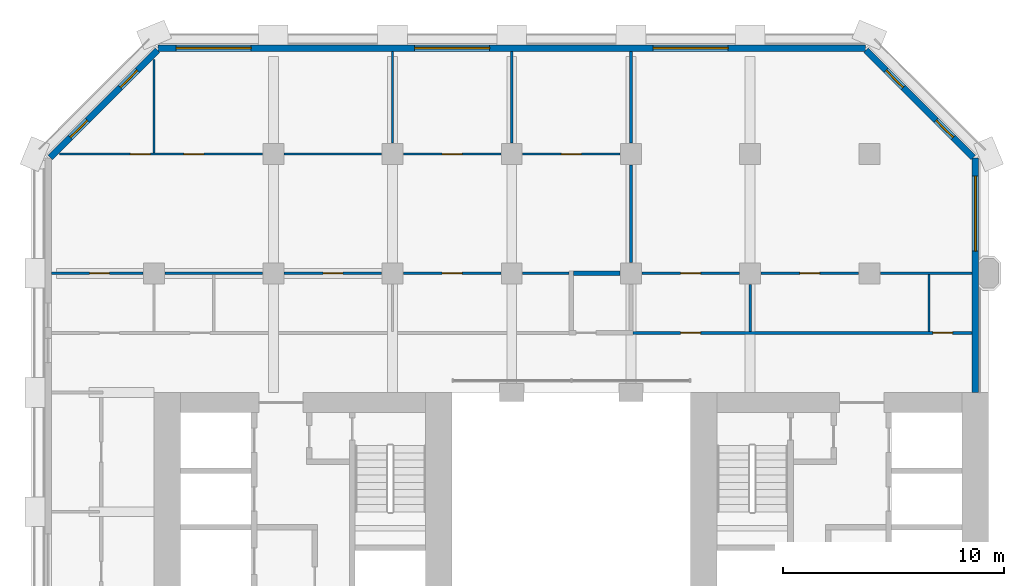
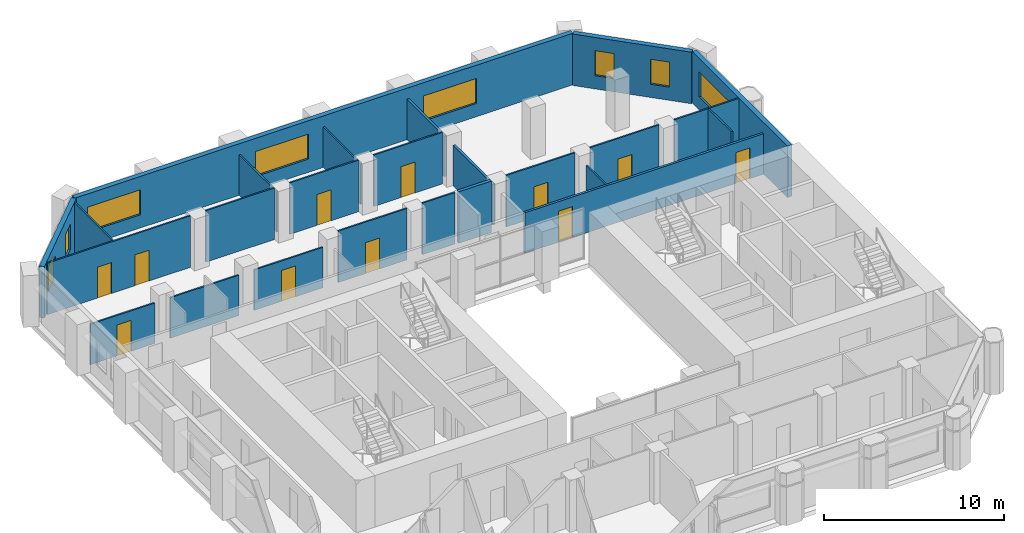
# One storey, part 9 of 13: 25 walls, 11 doors, 8 windows, 19 openings.
"""IFC4 building model written with IfcOpenShell, lengths in metres."""

from ifc_helpers import new_model, si_unit, direction, frame, frame_2d, origin, place, context, subcontext, project, spatial, rectangle, extrude, material, layer, layer_set, type_object, element, fill, save


model = new_model("IFC4")

# Units and contexts
model_context = context("Model", 3, precision=1e-05, world=origin(), true_north=direction((0.0, 1.0)))
body_context = subcontext(model_context, "Body", "Model", "MODEL_VIEW")
ifc_project = project(units=[si_unit("LENGTHUNIT", "METRE"), si_unit("AREAUNIT", "SQUARE_METRE"), si_unit("VOLUMEUNIT", "CUBIC_METRE"), si_unit("PLANEANGLEUNIT", "RADIAN"), si_unit("MASSUNIT", "GRAM", prefix="KILO")], contexts=[model_context])

# Site, building, storey
site_placement = place(None, origin())
site = spatial("IfcSite", under=ifc_project, at=site_placement, CompositionType="ELEMENT")
building_placement = place(site_placement, origin())
building = spatial("IfcBuilding", under=site, at=building_placement, Name="Tabaq Tower and Sports Hall", CompositionType="ELEMENT")
storey_placement = place(building_placement, frame((0.0, 0.0, 106.800048828125)))
storey = spatial("IfcBuildingStorey", under=building, at=storey_placement, Name="L25", CompositionType="ELEMENT", Elevation=106.800048828125)

# Wall
ifc_material_1 = material(Name="Blockwork", Category="masonry")
ifc_layer_1 = layer(ifc_material_1, 0.199951171875)
ifc_layer_set_1 = layer_set([ifc_layer_1], Name="Fire compartment wall 200 Blockwork")
wall_type_1 = type_object("IfcWallType", Name="Fire compartment wall 200 Blockwork", PredefinedType="PARTITIONING", material=ifc_layer_set_1)
wall_1_placement = place(storey_placement, frame((26.5048828125, 37.800048828125, 0.0), z_axis=(0.0, 0.0, 1.0), x_axis=(-1.0, 0.0, 0.0)))
element("IfcWall", 1, at=wall_1_placement, inside=storey, type_object=wall_type_1, Name="Compartment wall L25", PredefinedType="PARTITIONING", context=body_context, shape_type="SweptSolid", body=[
    extrude(rectangle(XDim=2.10498046875, YDim=0.199951171875, at=frame_2d((1.052490234375, 0.0))), origin(), (0.0, 0.0, 1.0), 3.5),
])

# Wall, opening, door
ifc_material_2 = material(Name="Gypsum board on steel studs", Category="steel")
ifc_layer_2 = layer(ifc_material_2, 0.10009765625)
ifc_layer_set_2 = layer_set([ifc_layer_2], Name="Partition 100 Gypsum board")
wall_type_2 = type_object("IfcWallType", Name="Partition 100 Gypsum board", PredefinedType="PARTITIONING", material=ifc_layer_set_2)
wall_2_placement = place(storey_placement, frame((4.905029296875, 37.800048828125, 0.0), z_axis=(0.0, 0.0, 1.0), x_axis=(-1.0, 0.0, 0.0)))
wall_2 = element("IfcWall", 2, at=wall_2_placement, inside=storey, type_object=wall_type_2, Name="Partition wall L25", PredefinedType="PARTITIONING", context=body_context, shape_type="SweptSolid", body=[
    extrude(rectangle(XDim=4.154052734375, YDim=0.10009765625, at=frame_2d((2.0771484375, 0.0))), origin(), (0.0, 0.0, 1.0), 2.75),
])
opening_1_placement = place(wall_2_placement, frame((1.530029296875, 0.0, 0.0)))
opening_1 = element("IfcOpeningElement", 3, at=opening_1_placement, cuts=wall_2, Name="Opening L25-028", PredefinedType="OPENING", context=body_context, shape_type="SweptSolid", body=[
    extrude(rectangle(XDim=0.89990234375, YDim=2.10009765625, at=frame_2d((0.449951171875, 1.050048828125))), frame((0.0, 0.050048828125, 0.0), z_axis=(0.0, -1.0, 0.0), x_axis=(1.0, 0.0, 0.0)), (0.0, 0.0, 1.0), 0.10009765625),
])
ifc_material_3 = material(Name="Timber leaf in steel frame", Category="steel")
door_type_1 = type_object("IfcDoorType", Name="Internal door 900 right hand", OperationType="SINGLE_SWING_RIGHT", PredefinedType="DOOR", material=ifc_material_3)
door_1_placement = place(opening_1_placement, origin())
door_1 = element("IfcDoor", 4, at=door_1_placement, inside=storey, type_object=door_type_1, Name="Internal door L25-028", OperationType="SINGLE_SWING_RIGHT", OverallHeight=2.10009765625, OverallWidth=0.89990234375, PredefinedType="DOOR", context=body_context, shape_type="SweptSolid", body=[
    extrude(rectangle(XDim=0.89990234375, YDim=2.10009765625, at=frame_2d((0.449951171875, 1.050048828125))), frame((0.0, 0.02490234375, 0.0), z_axis=(0.0, -1.0, 0.0), x_axis=(1.0, 0.0, 0.0)), (0.0, 0.0, 1.0), 0.050048828125),
])
fill(opening_1, door_1)

wall_3_placement = place(storey_placement, frame((15.705078125, 37.800048828125, 0.0), z_axis=(0.0, 0.0, 1.0), x_axis=(-1.0, 0.0, 0.0)))
wall_3 = element("IfcWall", 5, at=wall_3_placement, inside=storey, type_object=wall_type_2, Name="Partition wall L25", PredefinedType="PARTITIONING", context=body_context, shape_type="SweptSolid", body=[
    extrude(rectangle(XDim=4.41015625, YDim=0.10009765625, at=frame_2d((2.205078125, 0.0))), origin(), (0.0, 0.0, 1.0), 2.75),
])
opening_2_placement = place(wall_3_placement, frame((1.7548828125, 0.0, 0.0)))
opening_2 = element("IfcOpeningElement", 6, at=opening_2_placement, cuts=wall_3, Name="Opening L25-012", PredefinedType="OPENING", context=body_context, shape_type="SweptSolid", body=[
    extrude(rectangle(XDim=0.89990234375, YDim=2.10009765625, at=frame_2d((0.449951171875, 1.050048828125))), frame((0.0, 0.050048828125, 0.0), z_axis=(0.0, -1.0, 0.0), x_axis=(1.0, 0.0, 0.0)), (0.0, 0.0, 1.0), 0.10009765625),
])
ifc_material_4 = material(Name="Timber leaf in steel frame", Category="steel")
door_type_2 = type_object("IfcDoorType", Name="Internal door 900 left hand", OperationType="SINGLE_SWING_LEFT", PredefinedType="DOOR", material=ifc_material_4)
door_2_placement = place(opening_2_placement, origin())
door_2 = element("IfcDoor", 7, at=door_2_placement, inside=storey, type_object=door_type_2, Name="Internal door L25-012", OperationType="SINGLE_SWING_LEFT", OverallHeight=2.10009765625, OverallWidth=0.89990234375, PredefinedType="DOOR", context=body_context, shape_type="SweptSolid", body=[
    extrude(rectangle(XDim=0.89990234375, YDim=2.10009765625, at=frame_2d((0.449951171875, 1.050048828125))), frame((0.0, 0.02490234375, 0.0), z_axis=(0.0, -1.0, 0.0), x_axis=(1.0, 0.0, 0.0)), (0.0, 0.0, 1.0), 0.050048828125),
])
fill(opening_2, door_2)

# Walls
wall_4_placement = place(storey_placement, frame((10.304931640625, 37.800048828125, 0.0), z_axis=(0.0, 0.0, 1.0), x_axis=(-1.0, 0.0, 0.0)))
element("IfcWall", 8, at=wall_4_placement, inside=storey, type_object=wall_type_2, Name="Partition wall L25", PredefinedType="PARTITIONING", context=body_context, shape_type="SweptSolid", body=[
    extrude(rectangle(XDim=4.409912109375, YDim=0.10009765625, at=frame_2d((2.205078125, 0.0))), origin(), (0.0, 0.0, 1.0), 2.75),
])
wall_5_placement = place(storey_placement, frame((24.199951171875, 37.800048828125, 0.0), z_axis=(0.0, 0.0, 1.0), x_axis=(-1.0, 0.0, 0.0)))
element("IfcWall", 9, at=wall_5_placement, inside=storey, type_object=wall_type_2, Name="Partition wall L25", PredefinedType="PARTITIONING", context=body_context, shape_type="SweptSolid", body=[
    extrude(rectangle(XDim=2.10498046875, YDim=0.10009765625, at=frame_2d((1.052490234375, 0.0))), origin(), (0.0, 0.0, 1.0), 3.5),
])

# Wall, opening, door
wall_6_placement = place(storey_placement, frame((21.10498046875, 37.800048828125, 0.0), z_axis=(0.0, 0.0, 1.0), x_axis=(-1.0, 0.0, 0.0)))
wall_6 = element("IfcWall", 10, at=wall_6_placement, inside=storey, type_object=wall_type_2, Name="Partition wall L25", PredefinedType="PARTITIONING", context=body_context, shape_type="SweptSolid", body=[
    extrude(rectangle(XDim=4.409912109375, YDim=0.10009765625, at=frame_2d((2.205078125, 0.0))), origin(), (0.0, 0.0, 1.0), 3.5),
])
opening_3_placement = place(wall_6_placement, frame((1.7548828125, 0.0, 0.0)))
opening_3 = element("IfcOpeningElement", 11, at=opening_3_placement, cuts=wall_6, Name="Opening L25-013", PredefinedType="OPENING", context=body_context, shape_type="SweptSolid", body=[
    extrude(rectangle(XDim=0.89990234375, YDim=2.10009765625, at=frame_2d((0.449951171875, 1.050048828125))), frame((0.0, 0.050048828125, 0.0), z_axis=(0.0, -1.0, 0.0), x_axis=(1.0, 0.0, 0.0)), (0.0, 0.0, 1.0), 0.10009765625),
])
door_3_placement = place(opening_3_placement, origin())
door_3 = element("IfcDoor", 12, at=door_3_placement, inside=storey, type_object=door_type_1, Name="Internal door L25-013", OperationType="SINGLE_SWING_RIGHT", OverallHeight=2.10009765625, OverallWidth=0.89990234375, PredefinedType="DOOR", context=body_context, shape_type="SweptSolid", body=[
    extrude(rectangle(XDim=0.89990234375, YDim=2.10009765625, at=frame_2d((0.449951171875, 1.050048828125))), frame((0.0, 0.02490234375, 0.0), z_axis=(0.0, -1.0, 0.0), x_axis=(1.0, 0.0, 0.0)), (0.0, 0.0, 1.0), 0.050048828125),
])
fill(opening_3, door_3)

wall_7_placement = place(storey_placement, frame((26.5048828125, 43.199951171875, 0.0), z_axis=(0.0, 0.0, 1.0), x_axis=(-1.0, 0.0, 0.0)))
wall_7 = element("IfcWall", 13, at=wall_7_placement, inside=storey, type_object=wall_type_2, Name="Partition wall L25", PredefinedType="PARTITIONING", context=body_context, shape_type="SweptSolid", body=[
    extrude(rectangle(XDim=4.409912109375, YDim=0.10009765625, at=frame_2d((2.205078125, 0.0))), origin(), (0.0, 0.0, 1.0), 3.5),
])
opening_4_placement = place(wall_7_placement, frame((1.7548828125, 0.0, 0.0)))
opening_4 = element("IfcOpeningElement", 14, at=opening_4_placement, cuts=wall_7, Name="Opening L25-017", PredefinedType="OPENING", context=body_context, shape_type="SweptSolid", body=[
    extrude(rectangle(XDim=0.89990234375, YDim=2.10009765625, at=frame_2d((0.449951171875, 1.050048828125))), frame((0.0, 0.050048828125, 0.0), z_axis=(0.0, -1.0, 0.0), x_axis=(1.0, 0.0, 0.0)), (0.0, 0.0, 1.0), 0.10009765625),
])
door_4_placement = place(opening_4_placement, origin())
door_4 = element("IfcDoor", 15, at=door_4_placement, inside=storey, type_object=door_type_2, Name="Internal door L25-017", OperationType="SINGLE_SWING_LEFT", OverallHeight=2.10009765625, OverallWidth=0.89990234375, PredefinedType="DOOR", context=body_context, shape_type="SweptSolid", body=[
    extrude(rectangle(XDim=0.89990234375, YDim=2.10009765625, at=frame_2d((0.449951171875, 1.050048828125))), frame((0.0, 0.02490234375, 0.0), z_axis=(0.0, -1.0, 0.0), x_axis=(1.0, 0.0, 0.0)), (0.0, 0.0, 1.0), 0.050048828125),
])
fill(opening_4, door_4)

wall_8_placement = place(storey_placement, frame((21.10498046875, 43.199951171875, 0.0), z_axis=(0.0, 0.0, 1.0), x_axis=(-1.0, 0.0, 0.0)))
wall_8 = element("IfcWall", 16, at=wall_8_placement, inside=storey, type_object=wall_type_2, Name="Partition wall L25", PredefinedType="PARTITIONING", context=body_context, shape_type="SweptSolid", body=[
    extrude(rectangle(XDim=4.409912109375, YDim=0.10009765625, at=frame_2d((2.205078125, 0.0))), origin(), (0.0, 0.0, 1.0), 3.5),
])
opening_5_placement = place(wall_8_placement, frame((1.7548828125, 0.0, 0.0)))
opening_5 = element("IfcOpeningElement", 17, at=opening_5_placement, cuts=wall_8, Name="Opening L25-016", PredefinedType="OPENING", context=body_context, shape_type="SweptSolid", body=[
    extrude(rectangle(XDim=0.89990234375, YDim=2.10009765625, at=frame_2d((0.449951171875, 1.050048828125))), frame((0.0, 0.050048828125, 0.0), z_axis=(0.0, -1.0, 0.0), x_axis=(1.0, 0.0, 0.0)), (0.0, 0.0, 1.0), 0.10009765625),
])
door_5_placement = place(opening_5_placement, origin())
door_5 = element("IfcDoor", 18, at=door_5_placement, inside=storey, type_object=door_type_2, Name="Internal door L25-016", OperationType="SINGLE_SWING_LEFT", OverallHeight=2.10009765625, OverallWidth=0.89990234375, PredefinedType="DOOR", context=body_context, shape_type="SweptSolid", body=[
    extrude(rectangle(XDim=0.89990234375, YDim=2.10009765625, at=frame_2d((0.449951171875, 1.050048828125))), frame((0.0, 0.02490234375, 0.0), z_axis=(0.0, -1.0, 0.0), x_axis=(1.0, 0.0, 0.0)), (0.0, 0.0, 1.0), 0.050048828125),
])
fill(opening_5, door_5)

# Wall
wall_9_placement = place(storey_placement, frame((15.705078125, 43.199951171875, 0.0), z_axis=(0.0, 0.0, 1.0), x_axis=(-1.0, 0.0, 0.0)))
element("IfcWall", 19, at=wall_9_placement, inside=storey, type_object=wall_type_2, Name="Partition wall L25", PredefinedType="PARTITIONING", context=body_context, shape_type="SweptSolid", body=[
    extrude(rectangle(XDim=4.41015625, YDim=0.10009765625, at=frame_2d((2.205078125, 0.0))), origin(), (0.0, 0.0, 1.0), 3.5),
])

# Wall, openings, doors
wall_10_placement = place(storey_placement, frame((10.304931640625, 43.199951171875, 0.0), z_axis=(0.0, 0.0, 1.0), x_axis=(-1.0, 0.0, 0.0)))
wall_10 = element("IfcWall", 20, at=wall_10_placement, inside=storey, type_object=wall_type_2, Name="Partition wall L25", PredefinedType="PARTITIONING", context=body_context, shape_type="SweptSolid", body=[
    extrude(rectangle(XDim=9.19287109375, YDim=0.10009765625, at=frame_2d((4.596435546875, 0.0))), origin(), (0.0, 0.0, 1.0), 3.5),
])
opening_6_placement = place(wall_10_placement, frame((5.074951171875, 0.0, 0.0)))
opening_6 = element("IfcOpeningElement", 21, at=opening_6_placement, cuts=wall_10, Name="Opening L25-014", PredefinedType="OPENING", context=body_context, shape_type="SweptSolid", body=[
    extrude(rectangle(XDim=0.89990234375, YDim=2.10009765625, at=frame_2d((0.449951171875, 1.050048828125))), frame((0.0, 0.050048828125, 0.0), z_axis=(0.0, -1.0, 0.0), x_axis=(1.0, 0.0, 0.0)), (0.0, 0.0, 1.0), 0.10009765625),
])
opening_7_placement = place(wall_10_placement, frame((2.655029296875, 0.0, 0.0)))
opening_7 = element("IfcOpeningElement", 22, at=opening_7_placement, cuts=wall_10, Name="Opening L25-015", PredefinedType="OPENING", context=body_context, shape_type="SweptSolid", body=[
    extrude(rectangle(XDim=0.89990234375, YDim=2.10009765625, at=frame_2d((0.449951171875, 1.050048828125))), frame((0.0, 0.050048828125, 0.0), z_axis=(0.0, -1.0, 0.0), x_axis=(1.0, 0.0, 0.0)), (0.0, 0.0, 1.0), 0.10009765625),
])
door_6_placement = place(opening_6_placement, origin())
door_6 = element("IfcDoor", 23, at=door_6_placement, inside=storey, type_object=door_type_2, Name="Internal door L25-014", OperationType="SINGLE_SWING_LEFT", OverallHeight=2.10009765625, OverallWidth=0.89990234375, PredefinedType="DOOR", context=body_context, shape_type="SweptSolid", body=[
    extrude(rectangle(XDim=0.89990234375, YDim=2.10009765625, at=frame_2d((0.449951171875, 1.050048828125))), frame((0.0, 0.02490234375, 0.0), z_axis=(0.0, -1.0, 0.0), x_axis=(1.0, 0.0, 0.0)), (0.0, 0.0, 1.0), 0.050048828125),
])
fill(opening_6, door_6)
door_7_placement = place(opening_7_placement, origin())
door_7 = element("IfcDoor", 24, at=door_7_placement, inside=storey, type_object=door_type_2, Name="Internal door L25-015", OperationType="SINGLE_SWING_LEFT", OverallHeight=2.10009765625, OverallWidth=0.89990234375, PredefinedType="DOOR", context=body_context, shape_type="SweptSolid", body=[
    extrude(rectangle(XDim=0.89990234375, YDim=2.10009765625, at=frame_2d((0.449951171875, 1.050048828125))), frame((0.0, 0.02490234375, 0.0), z_axis=(0.0, -1.0, 0.0), x_axis=(1.0, 0.0, 0.0)), (0.0, 0.0, 1.0), 0.050048828125),
])
fill(opening_7, door_7)

# Walls
wall_11_placement = place(storey_placement, frame((5.39990234375, 43.25, 0.0), z_axis=(0.0, 0.0, 1.0), x_axis=(0.0, 1.0, 0.0)))
element("IfcWall", 25, at=wall_11_placement, inside=storey, type_object=wall_type_2, Name="Partition wall L25", PredefinedType="PARTITIONING", context=body_context, shape_type="SweptSolid", body=[
    extrude(rectangle(XDim=4.23779296875, YDim=0.10009765625, at=frame_2d((2.118896484375, 0.0))), origin(), (0.0, 0.0, 1.0), 3.5),
])
for number, where, z_axis, x_axis, name in (
    (26, (16.199951171875, 43.695068359375, 0.0), (0.0, 0.0, 1.0), (0.0, 1.0, 0.0), "Partition wall L25"),
    (27, (21.60009765625, 43.695068359375, 0.0), (0.0, 0.0, 1.0), (0.0, 1.0, 0.0), "Partition wall L25"),
):
    element("IfcWall", number, at=place(storey_placement, frame(where, z_axis=z_axis, x_axis=x_axis)), inside=storey, type_object=wall_type_2, Name=name, PredefinedType="PARTITIONING", context=body_context, shape_type="SweptSolid", body=[
        extrude(rectangle(XDim=4.154052734375, YDim=0.10009765625, at=frame_2d((2.0771484375, 0.0))), origin(), (0.0, 0.0, 1.0), 2.75),
    ])
wall_12_placement = place(storey_placement, frame((32.39990234375, 35.175048828125, 0.0), z_axis=(0.0, 0.0, 1.0), x_axis=(0.0, 1.0, 0.0)))
element("IfcWall", 28, at=wall_12_placement, inside=storey, type_object=wall_type_2, Name="Partition wall L25", PredefinedType="PARTITIONING", context=body_context, shape_type="SweptSolid", body=[
    extrude(rectangle(XDim=2.1298828125, YDim=0.10009765625, at=frame_2d((1.06494140625, 0.0))), origin(), (0.0, 0.0, 1.0), 2.75),
])

# Wall, opening, door
wall_13_placement = place(storey_placement, frame((31.905029296875, 37.800048828125, 0.0), z_axis=(0.0, 0.0, 1.0), x_axis=(-1.0, 0.0, 0.0)))
wall_13 = element("IfcWall", 29, at=wall_13_placement, inside=storey, type_object=wall_type_2, Name="Partition wall L25", PredefinedType="PARTITIONING", context=body_context, shape_type="SweptSolid", body=[
    extrude(rectangle(XDim=4.409912109375, YDim=0.10009765625, at=frame_2d((2.205078125, 0.0))), origin(), (0.0, 0.0, 1.0), 3.5),
])
opening_8_placement = place(wall_13_placement, frame((1.7548828125, 0.0, 0.0)))
opening_8 = element("IfcOpeningElement", 30, at=opening_8_placement, cuts=wall_13, Name="Opening L25-029", PredefinedType="OPENING", context=body_context, shape_type="SweptSolid", body=[
    extrude(rectangle(XDim=0.89990234375, YDim=2.10009765625, at=frame_2d((0.449951171875, 1.050048828125))), frame((0.0, 0.050048828125, 0.0), z_axis=(0.0, -1.0, 0.0), x_axis=(1.0, 0.0, 0.0)), (0.0, 0.0, 1.0), 0.10009765625),
])
door_8_placement = place(opening_8_placement, origin())
door_8 = element("IfcDoor", 31, at=door_8_placement, inside=storey, type_object=door_type_2, Name="Internal door L25-029", OperationType="SINGLE_SWING_LEFT", OverallHeight=2.10009765625, OverallWidth=0.89990234375, PredefinedType="DOOR", context=body_context, shape_type="SweptSolid", body=[
    extrude(rectangle(XDim=0.89990234375, YDim=2.10009765625, at=frame_2d((0.449951171875, 1.050048828125))), frame((0.0, 0.02490234375, 0.0), z_axis=(0.0, -1.0, 0.0), x_axis=(1.0, 0.0, 0.0)), (0.0, 0.0, 1.0), 0.050048828125),
])
fill(opening_8, door_8)

# Wall
wall_14_placement = place(storey_placement, frame((40.5, 35.175048828125, 0.0), z_axis=(0.0, 0.0, 1.0), x_axis=(0.0, 1.0, 0.0)))
element("IfcWall", 32, at=wall_14_placement, inside=storey, type_object=wall_type_2, Name="Partition wall L25", PredefinedType="PARTITIONING", context=body_context, shape_type="SweptSolid", body=[
    extrude(rectangle(XDim=2.574951171875, YDim=0.10009765625, at=frame_2d((1.28759765625, 0.0))), origin(), (0.0, 0.0, 1.0), 3.5),
])

# Wall, opening, door
wall_15_placement = place(storey_placement, frame((37.304931640625, 37.800048828125, 0.0), z_axis=(0.0, 0.0, 1.0), x_axis=(-1.0, 0.0, 0.0)))
wall_15 = element("IfcWall", 33, at=wall_15_placement, inside=storey, type_object=wall_type_2, Name="Partition wall L25", PredefinedType="PARTITIONING", context=body_context, shape_type="SweptSolid", body=[
    extrude(rectangle(XDim=4.409912109375, YDim=0.10009765625, at=frame_2d((2.205078125, 0.0))), origin(), (0.0, 0.0, 1.0), 3.5),
])
opening_9_placement = place(wall_15_placement, frame((1.7548828125, 0.0, 0.0)))
opening_9 = element("IfcOpeningElement", 34, at=opening_9_placement, cuts=wall_15, Name="Opening L25-018", PredefinedType="OPENING", context=body_context, shape_type="SweptSolid", body=[
    extrude(rectangle(XDim=0.89990234375, YDim=2.10009765625, at=frame_2d((0.449951171875, 1.050048828125))), frame((0.0, 0.050048828125, 0.0), z_axis=(0.0, -1.0, 0.0), x_axis=(1.0, 0.0, 0.0)), (0.0, 0.0, 1.0), 0.10009765625),
])
door_9_placement = place(opening_9_placement, origin())
door_9 = element("IfcDoor", 35, at=door_9_placement, inside=storey, type_object=door_type_1, Name="Internal door L25-018", OperationType="SINGLE_SWING_RIGHT", OverallHeight=2.10009765625, OverallWidth=0.89990234375, PredefinedType="DOOR", context=body_context, shape_type="SweptSolid", body=[
    extrude(rectangle(XDim=0.89990234375, YDim=2.10009765625, at=frame_2d((0.449951171875, 1.050048828125))), frame((0.0, 0.02490234375, 0.0), z_axis=(0.0, -1.0, 0.0), x_axis=(1.0, 0.0, 0.0)), (0.0, 0.0, 1.0), 0.050048828125),
])
fill(opening_9, door_9)

# Wall
wall_16_placement = place(storey_placement, frame((42.448974609375, 37.800048828125, 0.0), z_axis=(0.0, 0.0, 1.0), x_axis=(-1.0, 0.0, 0.0)))
element("IfcWall", 36, at=wall_16_placement, inside=storey, type_object=wall_type_2, Name="Partition wall L25", PredefinedType="PARTITIONING", context=body_context, shape_type="SweptSolid", body=[
    extrude(rectangle(XDim=4.154052734375, YDim=0.10009765625, at=frame_2d((2.0771484375, 0.0))), origin(), (0.0, 0.0, 1.0), 3.5),
])

# Wall, openings, doors
ifc_material_5 = material(Name="Blockwork", Category="masonry")
ifc_layer_3 = layer(ifc_material_5, 0.14990234375)
ifc_layer_set_3 = layer_set([ifc_layer_3], Name="Separating wall 150 Blockwork")
wall_type_3 = type_object("IfcWallType", Name="Separating wall 150 Blockwork", PredefinedType="PARTITIONING", material=ifc_layer_set_3)
wall_17_placement = place(storey_placement, frame((42.448974609375, 35.10009765625, 0.0), z_axis=(0.0, 0.0, 1.0), x_axis=(-1.0, 0.0, 0.0)))
wall_17 = element("IfcWall", 37, at=wall_17_placement, inside=storey, type_object=wall_type_3, Name="Separating wall L25", PredefinedType="PARTITIONING", context=body_context, shape_type="SweptSolid", body=[
    extrude(rectangle(XDim=15.348876953125, YDim=0.14990234375, at=frame_2d((7.67431640625, 0.0))), origin(), (0.0, 0.0, 1.0), 2.75),
])
opening_10_placement = place(wall_17_placement, frame((0.87890625, 0.0, 0.0)))
opening_10 = element("IfcOpeningElement", 38, at=opening_10_placement, cuts=wall_17, Name="Opening L25-003", PredefinedType="OPENING", context=body_context, shape_type="SweptSolid", body=[
    extrude(rectangle(XDim=0.89990234375, YDim=2.10009765625, at=frame_2d((0.449951171875, 1.050048828125))), frame((0.0, 0.074951171875, 0.0), z_axis=(0.0, -1.0, 0.0), x_axis=(1.0, 0.0, 0.0)), (0.0, 0.0, 1.0), 0.14990234375),
])
opening_11_placement = place(wall_17_placement, frame((12.299072265625, 0.0, 0.0)))
opening_11 = element("IfcOpeningElement", 39, at=opening_11_placement, cuts=wall_17, Name="Opening L25-026", PredefinedType="OPENING", context=body_context, shape_type="SweptSolid", body=[
    extrude(rectangle(XDim=0.89990234375, YDim=2.10009765625, at=frame_2d((0.449951171875, 1.050048828125))), frame((0.0, 0.074951171875, 0.0), z_axis=(0.0, -1.0, 0.0), x_axis=(1.0, 0.0, 0.0)), (0.0, 0.0, 1.0), 0.14990234375),
])
ifc_material_6 = material(Name="Steel fire door", Category="steel")
door_type_3 = type_object("IfcDoorType", Name="Entrance door 900 right hand", OperationType="SINGLE_SWING_RIGHT", PredefinedType="DOOR", material=ifc_material_6)
door_10_placement = place(opening_10_placement, origin())
door_10 = element("IfcDoor", 40, at=door_10_placement, inside=storey, type_object=door_type_3, Name="Entrance door L25-003", OperationType="SINGLE_SWING_RIGHT", OverallHeight=2.10009765625, OverallWidth=0.89990234375, PredefinedType="DOOR", context=body_context, shape_type="SweptSolid", body=[
    extrude(rectangle(XDim=0.89990234375, YDim=2.10009765625, at=frame_2d((0.449951171875, 1.050048828125))), frame((0.0, 0.02490234375, 0.0), z_axis=(0.0, -1.0, 0.0), x_axis=(1.0, 0.0, 0.0)), (0.0, 0.0, 1.0), 0.050048828125),
])
fill(opening_10, door_10)
door_11_placement = place(opening_11_placement, origin())
door_11 = element("IfcDoor", 41, at=door_11_placement, inside=storey, type_object=door_type_3, Name="Entrance door L25-026", OperationType="SINGLE_SWING_RIGHT", OverallHeight=2.10009765625, OverallWidth=0.89990234375, PredefinedType="DOOR", context=body_context, shape_type="SweptSolid", body=[
    extrude(rectangle(XDim=0.89990234375, YDim=2.10009765625, at=frame_2d((0.449951171875, 1.050048828125))), frame((0.0, 0.02490234375, 0.0), z_axis=(0.0, -1.0, 0.0), x_axis=(1.0, 0.0, 0.0)), (0.0, 0.0, 1.0), 0.050048828125),
])
fill(opening_11, door_11)

# Walls
wall_18_placement = place(storey_placement, frame((27.0, 38.294921875, 0.0), z_axis=(0.0, 0.0, 1.0), x_axis=(0.0, 1.0, 0.0)))
element("IfcWall", 42, at=wall_18_placement, inside=storey, type_object=wall_type_3, Name="Separating wall L25", PredefinedType="PARTITIONING", context=body_context, shape_type="SweptSolid", body=[
    extrude(rectangle(XDim=4.41015625, YDim=0.14990234375, at=frame_2d((2.205078125, 0.0))), origin(), (0.0, 0.0, 1.0), 2.75),
])
wall_19_placement = place(storey_placement, frame((27.0, 43.695068359375, 0.0), z_axis=(0.0, 0.0, 1.0), x_axis=(0.0, 1.0, 0.0)))
element("IfcWall", 43, at=wall_19_placement, inside=storey, type_object=wall_type_3, Name="Separating wall L25", PredefinedType="PARTITIONING", context=body_context, shape_type="SweptSolid", body=[
    extrude(rectangle(XDim=4.154052734375, YDim=0.14990234375, at=frame_2d((2.0771484375, 0.0))), origin(), (0.0, 0.0, 1.0), 2.75),
])

# Wall, opening, window
ifc_material_7 = material(Name="White precast concrete C60/75", Category="concrete")
ifc_layer_4 = layer(ifc_material_7, 0.300048828125)
ifc_layer_set_4 = layer_set([ifc_layer_4], Name="White precast concrete C60/75 external wall 300")
wall_type_4 = type_object("IfcWallType", Name="White precast concrete C60/75 external wall 300", PredefinedType="SOLIDWALL", material=ifc_layer_set_4)
wall_20_placement = place(storey_placement, frame((42.60009765625, 32.39990234375, 0.0), z_axis=(0.0, 0.0, 1.0), x_axis=(0.0, 1.0, 0.0)))
wall_20 = element("IfcWall", 44, at=wall_20_placement, inside=storey, type_object=wall_type_4, Name="External Wall L25 E", PredefinedType="SOLIDWALL", context=body_context, shape_type="SweptSolid", body=[
    extrude(rectangle(XDim=10.61376953125, YDim=0.300048828125, at=frame_2d((5.306884765625, 0.0))), origin(), (0.0, 0.0, 1.0), 3.5),
])
opening_12_placement = place(wall_20_placement, frame((6.39990234375, 0.0, 0.89990234375)))
opening_12 = element("IfcOpeningElement", 45, at=opening_12_placement, cuts=wall_20, Name="Opening W1A", PredefinedType="OPENING", context=body_context, shape_type="SweptSolid", body=[
    extrude(rectangle(XDim=3.39990234375, YDim=1.699951171875, at=frame_2d((1.699951171875, 0.85009765625))), frame((0.0, 0.16015625, 0.0), z_axis=(0.0, -1.0, 0.0), x_axis=(1.0, 0.0, 0.0)), (0.0, 0.0, 1.0), 0.320068359375),
])
ifc_material_8 = material(Name="Aluminium framed clear glazing", Category="aluminium")
window_type_1 = type_object("IfcWindowType", Name="Window W1A", PartitioningType="SINGLE_PANEL", PredefinedType="WINDOW", material=ifc_material_8)
window_1_placement = place(opening_12_placement, origin())
window_1 = element("IfcWindow", 46, at=window_1_placement, inside=storey, type_object=window_type_1, Name="Window W1A L25", OverallHeight=1.699951171875, OverallWidth=3.39990234375, PartitioningType="SINGLE_PANEL", PredefinedType="WINDOW", context=body_context, shape_type="SweptSolid", body=[
    extrude(rectangle(XDim=3.39990234375, YDim=1.699951171875, at=frame_2d((1.699951171875, 0.85009765625))), frame((0.0, 0.030029296875, 0.0), z_axis=(0.0, -1.0, 0.0), x_axis=(1.0, 0.0, 0.0)), (0.0, 0.0, 1.0), 0.06005859375),
])
fill(opening_12, window_1)

# Wall, openings, windows
wall_21_placement = place(storey_placement, frame((42.5009765625, 43.050537109375, 0.0), z_axis=(0.0, 0.0, 1.0), x_axis=(-0.707106781187, 0.707106781187, 0.0)))
wall_21 = element("IfcWall", 47, at=wall_21_placement, inside=storey, type_object=wall_type_4, Name="External Wall L25 NE", PredefinedType="SOLIDWALL", context=body_context, shape_type="SweptSolid", body=[
    extrude(rectangle(XDim=6.85986328125, YDim=0.300048828125, at=frame_2d((3.429931640625, 0.0))), origin(), (0.0, 0.0, 1.0), 3.5),
])
opening_13_placement = place(wall_21_placement, frame((1.27978515625, 0.0, 0.89990234375)))
opening_13 = element("IfcOpeningElement", 48, at=opening_13_placement, cuts=wall_21, Name="Opening W1B", PredefinedType="OPENING", context=body_context, shape_type="SweptSolid", body=[
    extrude(rectangle(XDim=1.10009765625, YDim=1.699951171875, at=frame_2d((0.550048828125, 0.85009765625))), frame((0.0, 0.16015625, 0.0), z_axis=(0.0, -1.0, 0.0), x_axis=(1.0, 0.0, 0.0)), (0.0, 0.0, 1.0), 0.320068359375),
])
opening_14_placement = place(wall_21_placement, frame((4.479736328125, 0.0, 0.89990234375)))
opening_14 = element("IfcOpeningElement", 49, at=opening_14_placement, cuts=wall_21, Name="Opening W1B", PredefinedType="OPENING", context=body_context, shape_type="SweptSolid", body=[
    extrude(rectangle(XDim=1.10009765625, YDim=1.699951171875, at=frame_2d((0.550048828125, 0.85009765625))), frame((0.0, 0.16015625, 0.0), z_axis=(0.0, -1.0, 0.0), x_axis=(1.0, 0.0, 0.0)), (0.0, 0.0, 1.0), 0.320068359375),
])
ifc_material_9 = material(Name="Aluminium framed clear glazing", Category="aluminium")
window_type_2 = type_object("IfcWindowType", Name="Window W1B", PartitioningType="SINGLE_PANEL", PredefinedType="WINDOW", material=ifc_material_9)
window_2_placement = place(opening_13_placement, origin())
window_2 = element("IfcWindow", 50, at=window_2_placement, inside=storey, type_object=window_type_2, Name="Window W1B L25", OverallHeight=1.699951171875, OverallWidth=1.10009765625, PartitioningType="SINGLE_PANEL", PredefinedType="WINDOW", context=body_context, shape_type="SweptSolid", body=[
    extrude(rectangle(XDim=1.10009765625, YDim=1.699951171875, at=frame_2d((0.550048828125, 0.85009765625))), frame((0.0, 0.030029296875, 0.0), z_axis=(0.0, -1.0, 0.0), x_axis=(1.0, 0.0, 0.0)), (0.0, 0.0, 1.0), 0.06005859375),
])
fill(opening_13, window_2)
window_3_placement = place(opening_14_placement, origin())
window_3 = element("IfcWindow", 51, at=window_3_placement, inside=storey, type_object=window_type_2, Name="Window W1B L25", OverallHeight=1.699951171875, OverallWidth=1.10009765625, PartitioningType="SINGLE_PANEL", PredefinedType="WINDOW", context=body_context, shape_type="SweptSolid", body=[
    extrude(rectangle(XDim=1.10009765625, YDim=1.699951171875, at=frame_2d((0.550048828125, 0.85009765625))), frame((0.0, 0.030029296875, 0.0), z_axis=(0.0, -1.0, 0.0), x_axis=(1.0, 0.0, 0.0)), (0.0, 0.0, 1.0), 0.06005859375),
])
fill(opening_14, window_3)

wall_22_placement = place(storey_placement, frame((37.613525390625, 48.0, 0.0), z_axis=(0.0, 0.0, 1.0), x_axis=(-1.0, 0.0, 0.0)))
wall_22 = element("IfcWall", 52, at=wall_22_placement, inside=storey, type_object=wall_type_4, Name="External Wall L25 N", PredefinedType="SOLIDWALL", context=body_context, shape_type="SweptSolid", body=[
    extrude(rectangle(XDim=32.027099609375, YDim=0.300048828125, at=frame_2d((16.013671875, 0.0))), origin(), (0.0, 0.0, 1.0), 3.5),
])
opening_15_placement = place(wall_22_placement, frame((6.213623046875, 0.0, 0.89990234375)))
opening_15 = element("IfcOpeningElement", 53, at=opening_15_placement, cuts=wall_22, Name="Opening W1A", PredefinedType="OPENING", context=body_context, shape_type="SweptSolid", body=[
    extrude(rectangle(XDim=3.39990234375, YDim=1.699951171875, at=frame_2d((1.699951171875, 0.85009765625))), frame((0.0, 0.16015625, 0.0), z_axis=(0.0, -1.0, 0.0), x_axis=(1.0, 0.0, 0.0)), (0.0, 0.0, 1.0), 0.320068359375),
])
opening_16_placement = place(wall_22_placement, frame((17.013671875, 0.0, 0.89990234375)))
opening_16 = element("IfcOpeningElement", 54, at=opening_16_placement, cuts=wall_22, Name="Opening W1A", PredefinedType="OPENING", context=body_context, shape_type="SweptSolid", body=[
    extrude(rectangle(XDim=3.39990234375, YDim=1.699951171875, at=frame_2d((1.699951171875, 0.85009765625))), frame((0.0, 0.16015625, 0.0), z_axis=(0.0, -1.0, 0.0), x_axis=(1.0, 0.0, 0.0)), (0.0, 0.0, 1.0), 0.320068359375),
])
opening_17_placement = place(wall_22_placement, frame((27.813720703125, 0.0, 0.89990234375)))
opening_17 = element("IfcOpeningElement", 55, at=opening_17_placement, cuts=wall_22, Name="Opening W1A", PredefinedType="OPENING", context=body_context, shape_type="SweptSolid", body=[
    extrude(rectangle(XDim=3.39990234375, YDim=1.699951171875, at=frame_2d((1.699951171875, 0.85009765625))), frame((0.0, 0.16015625, 0.0), z_axis=(0.0, -1.0, 0.0), x_axis=(1.0, 0.0, 0.0)), (0.0, 0.0, 1.0), 0.320068359375),
])
window_4_placement = place(opening_15_placement, origin())
window_4 = element("IfcWindow", 56, at=window_4_placement, inside=storey, type_object=window_type_1, Name="Window W1A L25", OverallHeight=1.699951171875, OverallWidth=3.39990234375, PartitioningType="SINGLE_PANEL", PredefinedType="WINDOW", context=body_context, shape_type="SweptSolid", body=[
    extrude(rectangle(XDim=3.39990234375, YDim=1.699951171875, at=frame_2d((1.699951171875, 0.85009765625))), frame((0.0, 0.030029296875, 0.0), z_axis=(0.0, -1.0, 0.0), x_axis=(1.0, 0.0, 0.0)), (0.0, 0.0, 1.0), 0.06005859375),
])
fill(opening_15, window_4)
window_5_placement = place(opening_16_placement, origin())
window_5 = element("IfcWindow", 57, at=window_5_placement, inside=storey, type_object=window_type_1, Name="Window W1A L25", OverallHeight=1.699951171875, OverallWidth=3.39990234375, PartitioningType="SINGLE_PANEL", PredefinedType="WINDOW", context=body_context, shape_type="SweptSolid", body=[
    extrude(rectangle(XDim=3.39990234375, YDim=1.699951171875, at=frame_2d((1.699951171875, 0.85009765625))), frame((0.0, 0.030029296875, 0.0), z_axis=(0.0, -1.0, 0.0), x_axis=(1.0, 0.0, 0.0)), (0.0, 0.0, 1.0), 0.06005859375),
])
fill(opening_16, window_5)
window_6_placement = place(opening_17_placement, origin())
window_6 = element("IfcWindow", 58, at=window_6_placement, inside=storey, type_object=window_type_1, Name="Window W1A L25", OverallHeight=1.699951171875, OverallWidth=3.39990234375, PartitioningType="SINGLE_PANEL", PredefinedType="WINDOW", context=body_context, shape_type="SweptSolid", body=[
    extrude(rectangle(XDim=3.39990234375, YDim=1.699951171875, at=frame_2d((1.699951171875, 0.85009765625))), frame((0.0, 0.030029296875, 0.0), z_axis=(0.0, -1.0, 0.0), x_axis=(1.0, 0.0, 0.0)), (0.0, 0.0, 1.0), 0.06005859375),
])
fill(opening_17, window_6)

wall_23_placement = place(storey_placement, frame((5.549560546875, 47.901123046875, 0.0), z_axis=(0.0, 0.0, 1.0), x_axis=(-0.707106781187, -0.707106781187, 0.0)))
wall_23 = element("IfcWall", 59, at=wall_23_placement, inside=storey, type_object=wall_type_4, Name="External Wall L25 NW", PredefinedType="SOLIDWALL", context=body_context, shape_type="SweptSolid", body=[
    extrude(rectangle(XDim=6.85986328125, YDim=0.300048828125, at=frame_2d((3.429931640625, 0.0))), origin(), (0.0, 0.0, 1.0), 3.5),
])
opening_18_placement = place(wall_23_placement, frame((1.27978515625, 0.0, 0.89990234375)))
opening_18 = element("IfcOpeningElement", 60, at=opening_18_placement, cuts=wall_23, Name="Opening W1B", PredefinedType="OPENING", context=body_context, shape_type="SweptSolid", body=[
    extrude(rectangle(XDim=1.10009765625, YDim=1.699951171875, at=frame_2d((0.550048828125, 0.85009765625))), frame((0.0, 0.16015625, 0.0), z_axis=(0.0, -1.0, 0.0), x_axis=(1.0, 0.0, 0.0)), (0.0, 0.0, 1.0), 0.320068359375),
])
opening_19_placement = place(wall_23_placement, frame((4.479736328125, 0.0, 0.89990234375)))
opening_19 = element("IfcOpeningElement", 61, at=opening_19_placement, cuts=wall_23, Name="Opening W1B", PredefinedType="OPENING", context=body_context, shape_type="SweptSolid", body=[
    extrude(rectangle(XDim=1.10009765625, YDim=1.699951171875, at=frame_2d((0.550048828125, 0.85009765625))), frame((0.0, 0.16015625, 0.0), z_axis=(0.0, -1.0, 0.0), x_axis=(1.0, 0.0, 0.0)), (0.0, 0.0, 1.0), 0.320068359375),
])
window_7_placement = place(opening_18_placement, origin())
window_7 = element("IfcWindow", 62, at=window_7_placement, inside=storey, type_object=window_type_2, Name="Window W1B L25", OverallHeight=1.699951171875, OverallWidth=1.10009765625, PartitioningType="SINGLE_PANEL", PredefinedType="WINDOW", context=body_context, shape_type="SweptSolid", body=[
    extrude(rectangle(XDim=1.10009765625, YDim=1.699951171875, at=frame_2d((0.550048828125, 0.85009765625))), frame((0.0, 0.030029296875, 0.0), z_axis=(0.0, -1.0, 0.0), x_axis=(1.0, 0.0, 0.0)), (0.0, 0.0, 1.0), 0.06005859375),
])
fill(opening_18, window_7)
window_8_placement = place(opening_19_placement, origin())
window_8 = element("IfcWindow", 63, at=window_8_placement, inside=storey, type_object=window_type_2, Name="Window W1B L25", OverallHeight=1.699951171875, OverallWidth=1.10009765625, PartitioningType="SINGLE_PANEL", PredefinedType="WINDOW", context=body_context, shape_type="SweptSolid", body=[
    extrude(rectangle(XDim=1.10009765625, YDim=1.699951171875, at=frame_2d((0.550048828125, 0.85009765625))), frame((0.0, 0.030029296875, 0.0), z_axis=(0.0, -1.0, 0.0), x_axis=(1.0, 0.0, 0.0)), (0.0, 0.0, 1.0), 0.06005859375),
])
fill(opening_19, window_8)

save(model, "model.ifc")
